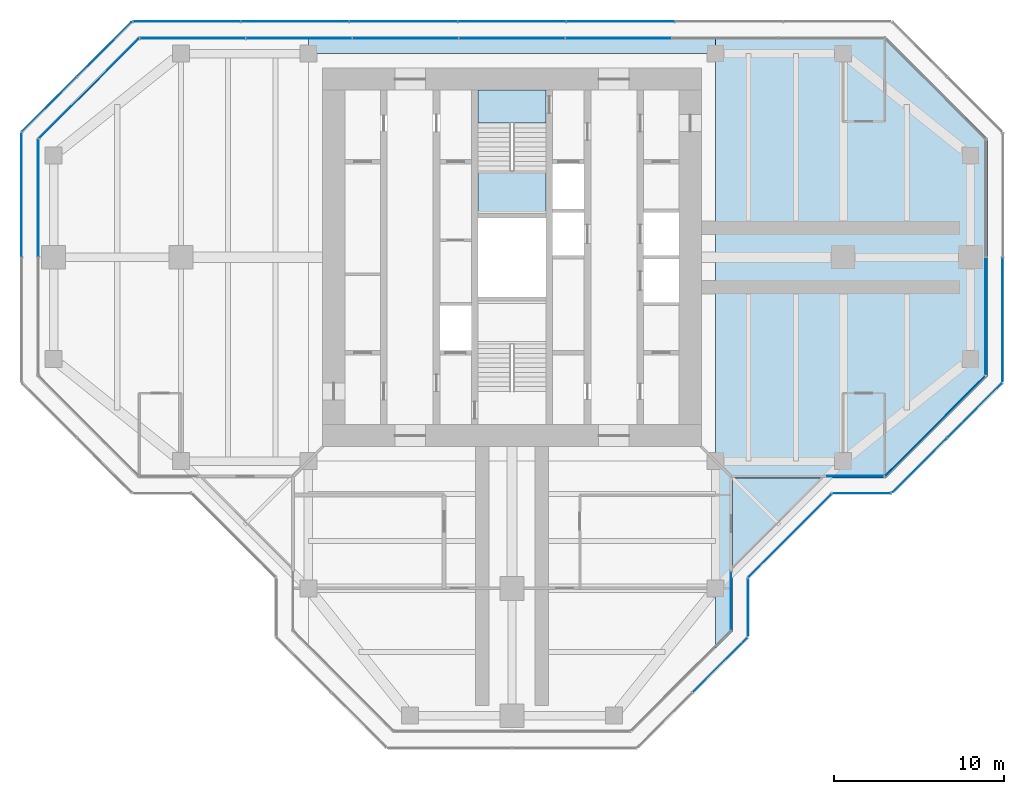
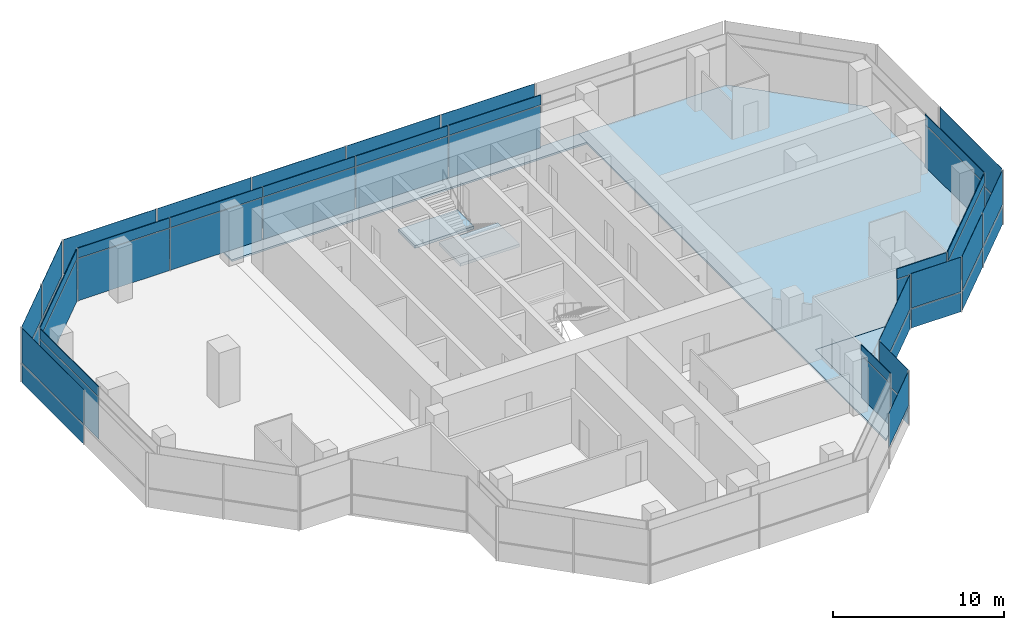
# One storey, part 10 of 15: 51 plates, 5 slabs, 17 elements without a shape of their own.
"""IFC4 building model written with IfcOpenShell, lengths in metres."""

from ifc_helpers import new_model, si_unit, direction, frame, origin, origin_2d, place, context, subcontext, project, spatial, polyline, rectangle, outline, extrude, material, layer, layer_set, type_object, element, aggregate, save


model = new_model("IFC4")

# Units and contexts
model_context = context("Model", 3, precision=1e-05, world=origin(), true_north=direction((0.0, 1.0)))
body_context = subcontext(model_context, "Body", "Model", "MODEL_VIEW")
ifc_project = project(units=[si_unit("LENGTHUNIT", "METRE"), si_unit("AREAUNIT", "SQUARE_METRE"), si_unit("VOLUMEUNIT", "CUBIC_METRE"), si_unit("PLANEANGLEUNIT", "RADIAN"), si_unit("MASSUNIT", "GRAM", prefix="KILO")], contexts=[model_context])

# Site, building, storey
site_placement = place(None, origin())
site = spatial("IfcSite", under=ifc_project, at=site_placement, CompositionType="ELEMENT")
building_placement = place(site_placement, origin())
building = spatial("IfcBuilding", under=site, at=building_placement, Name="Mizan Broadcast Tower", CompositionType="ELEMENT")
storey_placement = place(building_placement, frame((0.0, 0.0, 282.89990234375)))
storey = spatial("IfcBuildingStorey", under=building, at=storey_placement, Name="L67", CompositionType="ELEMENT", Elevation=282.89990234375)

# Slabs
ifc_material_1 = material(Name="Concrete C32/40", Category="concrete")
ifc_layer_1 = layer(ifc_material_1, 0.1298828125)
ifc_layer_set_1 = layer_set([ifc_layer_1], Name="Concrete C32/40")
slab_type_1 = type_object("IfcSlabType", Name="COMPOSITE DECK SLAB 130", PredefinedType="FLOOR", material=ifc_layer_set_1)
slab_1_placement = place(storey_placement, frame((0.0, 0.0, -0.1298828125)))
element("IfcSlab", 1, at=slab_1_placement, inside=storey, type_object=slab_type_1, Name="Floor slab L67 east arm", PredefinedType="FLOOR", context=body_context, shape_type="SweptSolid", body=[
    extrude(outline(polyline([(12.0, -23.0), (13.0, -22.0), (13.0, -13.0), (22.0, -13.0), (28.0, -7.0), (28.0, 7.0), (22.0, 13.0), (13.0, 13.0), (12.0, 13.0), (12.0, -23.0)])), origin(), (0.0, 0.0, 1.0), 0.1298828125),
])
slab_2_placement = place(storey_placement, frame((0.0, 0.0, -0.1298828125)))
element("IfcSlab", 2, at=slab_2_placement, inside=storey, type_object=slab_type_1, Name="Floor slab L67 north arm", PredefinedType="FLOOR", context=body_context, shape_type="SweptSolid", body=[
    extrude(outline(polyline([(12.0, 13.0), (-12.0, 13.0), (-12.0, 12.0), (12.0, 12.0), (12.0, 13.0)])), origin(), (0.0, 0.0, 1.0), 0.1298828125),
])

# Curtain wall, plate
ifc_material_2 = material(Name="Aluminium framed glazing", Category="aluminium")
curtain_wall_type_1 = type_object("IfcCurtainWallType", Name="INNER SKIN TOP ZONE", PredefinedType="USERDEFINED", material=ifc_material_2)
curtain_wall_1_placement = place(storey_placement, origin())
curtain_wall_1 = element("IfcCurtainWall", 3, at=curtain_wall_1_placement, inside=storey, type_object=curtain_wall_type_1, Name="Inner skin top zone L67 E side", ObjectType="INNER SKIN TOP ZONE", PredefinedType="USERDEFINED")
ifc_material_3 = material(Name="Double glazing, clear low-e", Category="glass")
ifc_layer_2 = layer(ifc_material_3, 0.028076171875)
ifc_layer_set_2 = layer_set([ifc_layer_2], Name="Double glazing, clear low-e")
plate_type_1 = type_object("IfcPlateType", Name="INNER SKIN GLAZING UNIT", PredefinedType="CURTAIN_PANEL", material=ifc_layer_set_2)
plate_1_placement = place(storey_placement, frame((20.229248046875, -12.89990234375, 0.0), z_axis=(0.0, 0.0, 1.0), x_axis=(1.0, 0.0, 0.0)))
plate_1 = element("IfcPlate", 4, at=plate_1_placement, type_object=plate_type_1, Name="Inner skin top zone L67 E side panel 1.1", PredefinedType="CURTAIN_PANEL", context=body_context, shape_type="SweptSolid", body=[
    extrude(rectangle(XDim=3.338623046875, YDim=0.028076171875, at=origin_2d()), origin(), (0.0, 0.0, 1.0), 3.0),
])

curtain_wall_2_placement = place(storey_placement, origin())
curtain_wall_2 = element("IfcCurtainWall", 5, at=curtain_wall_2_placement, inside=storey, type_object=curtain_wall_type_1, Name="Inner skin top zone L67 E chamfer", ObjectType="INNER SKIN TOP ZONE", PredefinedType="USERDEFINED")
plate_2_placement = place(storey_placement, frame((24.92919921875, -9.92919921875, 0.0), z_axis=(0.0, 0.0, 1.0), x_axis=(0.707106781187, 0.707106781187, 0.0)))
plate_2 = element("IfcPlate", 6, at=plate_2_placement, type_object=plate_type_1, Name="Inner skin top zone L67 E chamfer panel 1.1", PredefinedType="CURTAIN_PANEL", context=body_context, shape_type="SweptSolid", body=[
    extrude(rectangle(XDim=8.282470703125, YDim=0.028076171875, at=origin_2d()), origin(), (0.0, 0.0, 1.0), 3.0),
])

curtain_wall_3_placement = place(storey_placement, origin())
curtain_wall_3 = element("IfcCurtainWall", 7, at=curtain_wall_3_placement, inside=storey, type_object=curtain_wall_type_1, Name="Inner skin top zone L67 E end", ObjectType="INNER SKIN TOP ZONE", PredefinedType="USERDEFINED")
plate_3_placement = place(storey_placement, frame((27.89990234375, -3.46435546875, 0.0), z_axis=(0.0, 0.0, 1.0), x_axis=(0.0, 1.0, 0.0)))
plate_3 = element("IfcPlate", 8, at=plate_3_placement, type_object=plate_type_1, Name="Inner skin top zone L67 E end panel 1.1", PredefinedType="CURTAIN_PANEL", context=body_context, shape_type="SweptSolid", body=[
    extrude(rectangle(XDim=6.86865234375, YDim=0.028076171875, at=origin_2d()), origin(), (0.0, 0.0, 1.0), 3.0),
])

# Curtain wall, plates
curtain_wall_4_placement = place(storey_placement, origin())
curtain_wall_4 = element("IfcCurtainWall", 9, at=curtain_wall_4_placement, inside=storey, type_object=curtain_wall_type_1, Name="Inner skin top zone L67 N end", ObjectType="INNER SKIN TOP ZONE", PredefinedType="USERDEFINED")
plate_4_placement = place(storey_placement, frame((6.27392578125, 12.89990234375, 0.0), z_axis=(0.0, 0.0, 1.0), x_axis=(-1.0, 0.0, 0.0)))
plate_4 = element("IfcPlate", 10, at=plate_4_placement, type_object=plate_type_1, Name="Inner skin top zone L67 N end panel 3.1", PredefinedType="CURTAIN_PANEL", context=body_context, shape_type="SweptSolid", body=[
    extrude(rectangle(XDim=6.2138671875, YDim=0.028076171875, at=origin_2d()), origin(), (0.0, 0.0, 1.0), 3.0),
])
plate_5_placement = place(storey_placement, frame((0.0, 12.89990234375, 0.0), z_axis=(0.0, 0.0, 1.0), x_axis=(-1.0, 0.0, 0.0)))
plate_5 = element("IfcPlate", 11, at=plate_5_placement, type_object=plate_type_1, Name="Inner skin top zone L67 N end panel 4.1", PredefinedType="CURTAIN_PANEL", context=body_context, shape_type="SweptSolid", body=[
    extrude(rectangle(XDim=6.2138671875, YDim=0.028076171875, at=origin_2d()), origin(), (0.0, 0.0, 1.0), 3.0),
])
plate_6_placement = place(storey_placement, frame((-6.27392578125, 12.89990234375, 0.0), z_axis=(0.0, 0.0, 1.0), x_axis=(-1.0, 0.0, 0.0)))
plate_6 = element("IfcPlate", 12, at=plate_6_placement, type_object=plate_type_1, Name="Inner skin top zone L67 N end panel 5.1", PredefinedType="CURTAIN_PANEL", context=body_context, shape_type="SweptSolid", body=[
    extrude(rectangle(XDim=6.2138671875, YDim=0.028076171875, at=origin_2d()), origin(), (0.0, 0.0, 1.0), 3.0),
])
plate_7_placement = place(storey_placement, frame((-12.5478515625, 12.89990234375, 0.0), z_axis=(0.0, 0.0, 1.0), x_axis=(-1.0, 0.0, 0.0)))
plate_7 = element("IfcPlate", 13, at=plate_7_placement, type_object=plate_type_1, Name="Inner skin top zone L67 N end panel 6.1", PredefinedType="CURTAIN_PANEL", context=body_context, shape_type="SweptSolid", body=[
    extrude(rectangle(XDim=6.2138671875, YDim=0.028076171875, at=origin_2d()), origin(), (0.0, 0.0, 1.0), 3.0),
])
plate_8_placement = place(storey_placement, frame((-18.806640625, 12.89990234375, 0.0), z_axis=(0.0, 0.0, 1.0), x_axis=(-1.0, 0.0, 0.0)))
plate_8 = element("IfcPlate", 14, at=plate_8_placement, type_object=plate_type_1, Name="Inner skin top zone L67 N end panel 7.1", PredefinedType="CURTAIN_PANEL", context=body_context, shape_type="SweptSolid", body=[
    extrude(rectangle(XDim=6.183837890625, YDim=0.028076171875, at=origin_2d()), origin(), (0.0, 0.0, 1.0), 3.0),
])

# Curtain wall, plate
curtain_wall_5_placement = place(storey_placement, origin())
curtain_wall_5 = element("IfcCurtainWall", 15, at=curtain_wall_5_placement, inside=storey, type_object=curtain_wall_type_1, Name="Inner skin top zone L67 W chamfer", ObjectType="INNER SKIN TOP ZONE", PredefinedType="USERDEFINED")
plate_9_placement = place(storey_placement, frame((-24.92919921875, 9.92919921875, 0.0), z_axis=(0.0, 0.0, 1.0), x_axis=(-0.707106781187, -0.707106781187, 0.0)))
plate_9 = element("IfcPlate", 16, at=plate_9_placement, type_object=plate_type_1, Name="Inner skin top zone L67 W chamfer panel 1.1", PredefinedType="CURTAIN_PANEL", context=body_context, shape_type="SweptSolid", body=[
    extrude(rectangle(XDim=8.282470703125, YDim=0.028076171875, at=origin_2d()), origin(), (0.0, 0.0, 1.0), 3.0),
])

curtain_wall_6_placement = place(storey_placement, origin())
curtain_wall_6 = element("IfcCurtainWall", 17, at=curtain_wall_6_placement, inside=storey, type_object=curtain_wall_type_1, Name="Inner skin top zone L67 W end", ObjectType="INNER SKIN TOP ZONE", PredefinedType="USERDEFINED")
plate_10_placement = place(storey_placement, frame((-27.89990234375, 3.46435546875, 0.0), z_axis=(0.0, 0.0, 1.0), x_axis=(0.0, -1.0, 0.0)))
plate_10 = element("IfcPlate", 18, at=plate_10_placement, type_object=plate_type_1, Name="Inner skin top zone L67 W end panel 1.1", PredefinedType="CURTAIN_PANEL", context=body_context, shape_type="SweptSolid", body=[
    extrude(rectangle(XDim=6.86865234375, YDim=0.028076171875, at=origin_2d()), origin(), (0.0, 0.0, 1.0), 3.0),
])

curtain_wall_7_placement = place(storey_placement, origin())
curtain_wall_7 = element("IfcCurtainWall", 19, at=curtain_wall_7_placement, inside=storey, type_object=curtain_wall_type_1, Name="Inner skin top zone L67 S side", ObjectType="INNER SKIN TOP ZONE", PredefinedType="USERDEFINED")
plate_11_placement = place(storey_placement, frame((12.89990234375, -20.229248046875, 0.0), z_axis=(0.0, 0.0, 1.0), x_axis=(0.0, 1.0, 0.0)))
plate_11 = element("IfcPlate", 20, at=plate_11_placement, type_object=plate_type_1, Name="Inner skin top zone L67 S side panel 1.1", PredefinedType="CURTAIN_PANEL", context=body_context, shape_type="SweptSolid", body=[
    extrude(rectangle(XDim=3.338623046875, YDim=0.028076171875, at=origin_2d()), origin(), (0.0, 0.0, 1.0), 3.0),
])

# Plate
ifc_material_4 = material(Name="Insulated aluminium spandrel panel, pale anodised", Category="aluminium")
ifc_layer_3 = layer(ifc_material_4, 0.050048828125)
ifc_layer_set_3 = layer_set([ifc_layer_3], Name="Insulated aluminium spandrel panel, pale anodised")
plate_type_2 = type_object("IfcPlateType", Name="INNER SKIN SPANDREL PANEL", PredefinedType="CURTAIN_PANEL", material=ifc_layer_set_3)
plate_12_placement = place(storey_placement, frame((20.229248046875, -12.89990234375, 3.06005859375), z_axis=(0.0, 0.0, 1.0), x_axis=(1.0, 0.0, 0.0)))
plate_12 = element("IfcPlate", 21, at=plate_12_placement, type_object=plate_type_2, Name="Inner skin top zone L67 E side panel 1.2", PredefinedType="CURTAIN_PANEL", context=body_context, shape_type="SweptSolid", body=[
    extrude(rectangle(XDim=3.338623046875, YDim=0.050048828125, at=origin_2d()), origin(), (0.0, 0.0, 1.0), 0.7099609375),
])

aggregate(curtain_wall_1, [plate_1, plate_12])

plate_13_placement = place(storey_placement, frame((24.92919921875, -9.92919921875, 3.06005859375), z_axis=(0.0, 0.0, 1.0), x_axis=(0.707106781187, 0.707106781187, 0.0)))
plate_13 = element("IfcPlate", 22, at=plate_13_placement, type_object=plate_type_2, Name="Inner skin top zone L67 E chamfer panel 1.2", PredefinedType="CURTAIN_PANEL", context=body_context, shape_type="SweptSolid", body=[
    extrude(rectangle(XDim=8.282470703125, YDim=0.050048828125, at=origin_2d()), origin(), (0.0, 0.0, 1.0), 0.7099609375),
])

aggregate(curtain_wall_2, [plate_2, plate_13])

plate_14_placement = place(storey_placement, frame((27.89990234375, -3.46435546875, 3.06005859375), z_axis=(0.0, 0.0, 1.0), x_axis=(0.0, 1.0, 0.0)))
plate_14 = element("IfcPlate", 23, at=plate_14_placement, type_object=plate_type_2, Name="Inner skin top zone L67 E end panel 1.2", PredefinedType="CURTAIN_PANEL", context=body_context, shape_type="SweptSolid", body=[
    extrude(rectangle(XDim=6.86865234375, YDim=0.050048828125, at=origin_2d()), origin(), (0.0, 0.0, 1.0), 0.7099609375),
])

aggregate(curtain_wall_3, [plate_3, plate_14])

plate_15_placement = place(storey_placement, frame((6.27392578125, 12.89990234375, 3.06005859375), z_axis=(0.0, 0.0, 1.0), x_axis=(-1.0, 0.0, 0.0)))
plate_15 = element("IfcPlate", 24, at=plate_15_placement, type_object=plate_type_2, Name="Inner skin top zone L67 N end panel 3.2", PredefinedType="CURTAIN_PANEL", context=body_context, shape_type="SweptSolid", body=[
    extrude(rectangle(XDim=6.2138671875, YDim=0.050048828125, at=origin_2d()), origin(), (0.0, 0.0, 1.0), 0.7099609375),
])

plate_16_placement = place(storey_placement, frame((0.0, 12.89990234375, 3.06005859375), z_axis=(0.0, 0.0, 1.0), x_axis=(-1.0, 0.0, 0.0)))
plate_16 = element("IfcPlate", 25, at=plate_16_placement, type_object=plate_type_2, Name="Inner skin top zone L67 N end panel 4.2", PredefinedType="CURTAIN_PANEL", context=body_context, shape_type="SweptSolid", body=[
    extrude(rectangle(XDim=6.2138671875, YDim=0.050048828125, at=origin_2d()), origin(), (0.0, 0.0, 1.0), 0.7099609375),
])

plate_17_placement = place(storey_placement, frame((-6.27392578125, 12.89990234375, 3.06005859375), z_axis=(0.0, 0.0, 1.0), x_axis=(-1.0, 0.0, 0.0)))
plate_17 = element("IfcPlate", 26, at=plate_17_placement, type_object=plate_type_2, Name="Inner skin top zone L67 N end panel 5.2", PredefinedType="CURTAIN_PANEL", context=body_context, shape_type="SweptSolid", body=[
    extrude(rectangle(XDim=6.2138671875, YDim=0.050048828125, at=origin_2d()), origin(), (0.0, 0.0, 1.0), 0.7099609375),
])

plate_18_placement = place(storey_placement, frame((-12.5478515625, 12.89990234375, 3.06005859375), z_axis=(0.0, 0.0, 1.0), x_axis=(-1.0, 0.0, 0.0)))
plate_18 = element("IfcPlate", 27, at=plate_18_placement, type_object=plate_type_2, Name="Inner skin top zone L67 N end panel 6.2", PredefinedType="CURTAIN_PANEL", context=body_context, shape_type="SweptSolid", body=[
    extrude(rectangle(XDim=6.2138671875, YDim=0.050048828125, at=origin_2d()), origin(), (0.0, 0.0, 1.0), 0.7099609375),
])

plate_19_placement = place(storey_placement, frame((-18.806640625, 12.89990234375, 3.06005859375), z_axis=(0.0, 0.0, 1.0), x_axis=(-1.0, 0.0, 0.0)))
plate_19 = element("IfcPlate", 28, at=plate_19_placement, type_object=plate_type_2, Name="Inner skin top zone L67 N end panel 7.2", PredefinedType="CURTAIN_PANEL", context=body_context, shape_type="SweptSolid", body=[
    extrude(rectangle(XDim=6.183837890625, YDim=0.050048828125, at=origin_2d()), origin(), (0.0, 0.0, 1.0), 0.7099609375),
])

aggregate(curtain_wall_4, [plate_4, plate_15, plate_5, plate_16, plate_6, plate_17, plate_7, plate_18, plate_8, plate_19])

plate_20_placement = place(storey_placement, frame((-24.92919921875, 9.92919921875, 3.06005859375), z_axis=(0.0, 0.0, 1.0), x_axis=(-0.707106781187, -0.707106781187, 0.0)))
plate_20 = element("IfcPlate", 29, at=plate_20_placement, type_object=plate_type_2, Name="Inner skin top zone L67 W chamfer panel 1.2", PredefinedType="CURTAIN_PANEL", context=body_context, shape_type="SweptSolid", body=[
    extrude(rectangle(XDim=8.282470703125, YDim=0.050048828125, at=origin_2d()), origin(), (0.0, 0.0, 1.0), 0.7099609375),
])

aggregate(curtain_wall_5, [plate_9, plate_20])

plate_21_placement = place(storey_placement, frame((-27.89990234375, 3.46435546875, 3.06005859375), z_axis=(0.0, 0.0, 1.0), x_axis=(0.0, -1.0, 0.0)))
plate_21 = element("IfcPlate", 30, at=plate_21_placement, type_object=plate_type_2, Name="Inner skin top zone L67 W end panel 1.2", PredefinedType="CURTAIN_PANEL", context=body_context, shape_type="SweptSolid", body=[
    extrude(rectangle(XDim=6.86865234375, YDim=0.050048828125, at=origin_2d()), origin(), (0.0, 0.0, 1.0), 0.7099609375),
])

aggregate(curtain_wall_6, [plate_10, plate_21])

plate_22_placement = place(storey_placement, frame((12.89990234375, -20.229248046875, 3.06005859375), z_axis=(0.0, 0.0, 1.0), x_axis=(0.0, 1.0, 0.0)))
plate_22 = element("IfcPlate", 31, at=plate_22_placement, type_object=plate_type_2, Name="Inner skin top zone L67 S side panel 1.2", PredefinedType="CURTAIN_PANEL", context=body_context, shape_type="SweptSolid", body=[
    extrude(rectangle(XDim=3.338623046875, YDim=0.050048828125, at=origin_2d()), origin(), (0.0, 0.0, 1.0), 0.7099609375),
])

aggregate(curtain_wall_7, [plate_11, plate_22])

# Curtain wall, plates
ifc_material_5 = material(Name="Aluminium framed glazing", Category="aluminium")
curtain_wall_type_2 = type_object("IfcCurtainWallType", Name="OUTER SKIN", PredefinedType="USERDEFINED", material=ifc_material_5)
curtain_wall_8_placement = place(storey_placement, origin())
curtain_wall_8 = element("IfcCurtainWall", 32, at=curtain_wall_8_placement, inside=storey, type_object=curtain_wall_type_2, Name="Outer skin L67 S side", ObjectType="OUTER SKIN", PredefinedType="USERDEFINED")
ifc_material_6 = material(Name="Laminated clear glass", Category="glass")
ifc_layer_4 = layer(ifc_material_6, 0.02001953125)
ifc_layer_set_4 = layer_set([ifc_layer_4], Name="Laminated clear glass")
plate_type_3 = type_object("IfcPlateType", Name="OUTER SKIN CLEAR GLASS", PredefinedType="CURTAIN_PANEL", material=ifc_layer_set_4)
plate_23_placement = place(storey_placement, frame((13.89990234375, -20.622802734375, 0.0), z_axis=(0.0, 0.0, 1.0), x_axis=(0.0, 1.0, 0.0)))
plate_23 = element("IfcPlate", 33, at=plate_23_placement, type_object=plate_type_3, Name="Outer skin L67 S side panel 1.1", PredefinedType="CURTAIN_PANEL", context=body_context, shape_type="SweptSolid", body=[
    extrude(rectangle(XDim=3.340087890625, YDim=0.02001953125, at=origin_2d()), origin(), (0.0, 0.0, 1.0), 1.3701171875),
])
plate_24_placement = place(storey_placement, frame((13.89990234375, -20.622802734375, 1.43017578125), z_axis=(0.0, 0.0, 1.0), x_axis=(0.0, 1.0, 0.0)))
plate_24 = element("IfcPlate", 34, at=plate_24_placement, type_object=plate_type_3, Name="Outer skin L67 S side panel 1.2", PredefinedType="CURTAIN_PANEL", context=body_context, shape_type="SweptSolid", body=[
    extrude(rectangle(XDim=3.340087890625, YDim=0.02001953125, at=origin_2d()), origin(), (0.0, 0.0, 1.0), 2.469970703125),
])
aggregate(curtain_wall_8, [plate_23, plate_24])

curtain_wall_9_placement = place(storey_placement, origin())
curtain_wall_9 = element("IfcCurtainWall", 35, at=curtain_wall_9_placement, inside=storey, type_object=curtain_wall_type_2, Name="Outer skin L67 E chamfer", ObjectType="OUTER SKIN", PredefinedType="USERDEFINED")
plate_25_placement = place(storey_placement, frame((16.386474609375, -16.386474609375, 0.0), z_axis=(0.0, 0.0, 1.0), x_axis=(0.707106781187, 0.707106781187, 0.0)))
plate_25 = element("IfcPlate", 36, at=plate_25_placement, type_object=plate_type_3, Name="Outer skin L67 E chamfer panel 1.1", PredefinedType="CURTAIN_PANEL", context=body_context, shape_type="SweptSolid", body=[
    extrude(rectangle(XDim=6.87255859375, YDim=0.02001953125, at=origin_2d()), origin(), (0.0, 0.0, 1.0), 1.3701171875),
])
plate_26_placement = place(storey_placement, frame((16.386474609375, -16.386474609375, 1.43017578125), z_axis=(0.0, 0.0, 1.0), x_axis=(0.707106781187, 0.707106781187, 0.0)))
plate_26 = element("IfcPlate", 37, at=plate_26_placement, type_object=plate_type_3, Name="Outer skin L67 E chamfer panel 1.2", PredefinedType="CURTAIN_PANEL", context=body_context, shape_type="SweptSolid", body=[
    extrude(rectangle(XDim=6.87255859375, YDim=0.02001953125, at=origin_2d()), origin(), (0.0, 0.0, 1.0), 2.469970703125),
])
aggregate(curtain_wall_9, [plate_25, plate_26])

curtain_wall_10_placement = place(storey_placement, origin())
curtain_wall_10 = element("IfcCurtainWall", 38, at=curtain_wall_10_placement, inside=storey, type_object=curtain_wall_type_2, Name="Outer skin L67 E side", ObjectType="OUTER SKIN", PredefinedType="USERDEFINED")
plate_27_placement = place(storey_placement, frame((20.622802734375, -13.89990234375, 0.0), z_axis=(0.0, 0.0, 1.0), x_axis=(1.0, 0.0, 0.0)))
plate_27 = element("IfcPlate", 39, at=plate_27_placement, type_object=plate_type_3, Name="Outer skin L67 E side panel 1.1", PredefinedType="CURTAIN_PANEL", context=body_context, shape_type="SweptSolid", body=[
    extrude(rectangle(XDim=3.340087890625, YDim=0.02001953125, at=origin_2d()), origin(), (0.0, 0.0, 1.0), 1.3701171875),
])
plate_28_placement = place(storey_placement, frame((20.622802734375, -13.89990234375, 1.43017578125), z_axis=(0.0, 0.0, 1.0), x_axis=(1.0, 0.0, 0.0)))
plate_28 = element("IfcPlate", 40, at=plate_28_placement, type_object=plate_type_3, Name="Outer skin L67 E side panel 1.2", PredefinedType="CURTAIN_PANEL", context=body_context, shape_type="SweptSolid", body=[
    extrude(rectangle(XDim=3.340087890625, YDim=0.02001953125, at=origin_2d()), origin(), (0.0, 0.0, 1.0), 2.469970703125),
])
aggregate(curtain_wall_10, [plate_27, plate_28])

curtain_wall_11_placement = place(storey_placement, origin())
curtain_wall_11 = element("IfcCurtainWall", 41, at=curtain_wall_11_placement, inside=storey, type_object=curtain_wall_type_2, Name="Outer skin L67 E chamfer", ObjectType="OUTER SKIN", PredefinedType="USERDEFINED")
plate_29_placement = place(storey_placement, frame((24.018798828125, -12.254150390625, 0.0), z_axis=(0.0, 0.0, 1.0), x_axis=(0.707106781187, 0.707106781187, 0.0)))
plate_29 = element("IfcPlate", 42, at=plate_29_placement, type_object=plate_type_3, Name="Outer skin L67 E chamfer panel 1.1", PredefinedType="CURTAIN_PANEL", context=body_context, shape_type="SweptSolid", body=[
    extrude(rectangle(XDim=4.495361328125, YDim=0.02001953125, at=origin_2d()), origin(), (0.0, 0.0, 1.0), 1.3701171875),
])
plate_30_placement = place(storey_placement, frame((24.018798828125, -12.254150390625, 1.43017578125), z_axis=(0.0, 0.0, 1.0), x_axis=(0.707106781187, 0.707106781187, 0.0)))
plate_30 = element("IfcPlate", 43, at=plate_30_placement, type_object=plate_type_3, Name="Outer skin L67 E chamfer panel 1.2", PredefinedType="CURTAIN_PANEL", context=body_context, shape_type="SweptSolid", body=[
    extrude(rectangle(XDim=4.495361328125, YDim=0.02001953125, at=origin_2d()), origin(), (0.0, 0.0, 1.0), 2.469970703125),
])

curtain_wall_12_placement = place(storey_placement, origin())
curtain_wall_12 = element("IfcCurtainWall", 44, at=curtain_wall_12_placement, inside=storey, type_object=curtain_wall_type_2, Name="Outer skin L67 E end", ObjectType="OUTER SKIN", PredefinedType="USERDEFINED")
plate_31_placement = place(storey_placement, frame((28.89990234375, -3.66650390625, 0.0), z_axis=(0.0, 0.0, 1.0), x_axis=(0.0, 1.0, 0.0)))
plate_31 = element("IfcPlate", 45, at=plate_31_placement, type_object=plate_type_3, Name="Outer skin L67 E end panel 1.1", PredefinedType="CURTAIN_PANEL", context=body_context, shape_type="SweptSolid", body=[
    extrude(rectangle(XDim=7.252685546875, YDim=0.02001953125, at=origin_2d()), origin(), (0.0, 0.0, 1.0), 1.3701171875),
])
plate_32_placement = place(storey_placement, frame((28.89990234375, -3.66650390625, 1.43017578125), z_axis=(0.0, 0.0, 1.0), x_axis=(0.0, 1.0, 0.0)))
plate_32 = element("IfcPlate", 46, at=plate_32_placement, type_object=plate_type_3, Name="Outer skin L67 E end panel 1.2", PredefinedType="CURTAIN_PANEL", context=body_context, shape_type="SweptSolid", body=[
    extrude(rectangle(XDim=7.252685546875, YDim=0.02001953125, at=origin_2d()), origin(), (0.0, 0.0, 1.0), 2.469970703125),
])
aggregate(curtain_wall_12, [plate_31, plate_32])

curtain_wall_13_placement = place(storey_placement, origin())
curtain_wall_13 = element("IfcCurtainWall", 47, at=curtain_wall_13_placement, inside=storey, type_object=curtain_wall_type_2, Name="Outer skin L67 N end", ObjectType="OUTER SKIN", PredefinedType="USERDEFINED")
plate_33_placement = place(storey_placement, frame((6.392333984375, 13.89990234375, 0.0), z_axis=(0.0, 0.0, 1.0), x_axis=(-1.0, 0.0, 0.0)))
plate_33 = element("IfcPlate", 48, at=plate_33_placement, type_object=plate_type_3, Name="Outer skin L67 N end panel 3.1", PredefinedType="CURTAIN_PANEL", context=body_context, shape_type="SweptSolid", body=[
    extrude(rectangle(XDim=6.312255859375, YDim=0.02001953125, at=origin_2d()), origin(), (0.0, 0.0, 1.0), 1.3701171875),
])
plate_34_placement = place(storey_placement, frame((6.392333984375, 13.89990234375, 1.43017578125), z_axis=(0.0, 0.0, 1.0), x_axis=(-1.0, 0.0, 0.0)))
plate_34 = element("IfcPlate", 49, at=plate_34_placement, type_object=plate_type_3, Name="Outer skin L67 N end panel 3.2", PredefinedType="CURTAIN_PANEL", context=body_context, shape_type="SweptSolid", body=[
    extrude(rectangle(XDim=6.312255859375, YDim=0.02001953125, at=origin_2d()), origin(), (0.0, 0.0, 1.0), 2.469970703125),
])
plate_35_placement = place(storey_placement, frame((0.0, 13.89990234375, 0.0), z_axis=(0.0, 0.0, 1.0), x_axis=(-1.0, 0.0, 0.0)))
plate_35 = element("IfcPlate", 50, at=plate_35_placement, type_object=plate_type_3, Name="Outer skin L67 N end panel 4.1", PredefinedType="CURTAIN_PANEL", context=body_context, shape_type="SweptSolid", body=[
    extrude(rectangle(XDim=6.312255859375, YDim=0.02001953125, at=origin_2d()), origin(), (0.0, 0.0, 1.0), 1.3701171875),
])
plate_36_placement = place(storey_placement, frame((0.0, 13.89990234375, 1.43017578125), z_axis=(0.0, 0.0, 1.0), x_axis=(-1.0, 0.0, 0.0)))
plate_36 = element("IfcPlate", 51, at=plate_36_placement, type_object=plate_type_3, Name="Outer skin L67 N end panel 4.2", PredefinedType="CURTAIN_PANEL", context=body_context, shape_type="SweptSolid", body=[
    extrude(rectangle(XDim=6.312255859375, YDim=0.02001953125, at=origin_2d()), origin(), (0.0, 0.0, 1.0), 2.469970703125),
])
plate_37_placement = place(storey_placement, frame((-6.392333984375, 13.89990234375, 0.0), z_axis=(0.0, 0.0, 1.0), x_axis=(-1.0, 0.0, 0.0)))
plate_37 = element("IfcPlate", 52, at=plate_37_placement, type_object=plate_type_3, Name="Outer skin L67 N end panel 5.1", PredefinedType="CURTAIN_PANEL", context=body_context, shape_type="SweptSolid", body=[
    extrude(rectangle(XDim=6.312255859375, YDim=0.02001953125, at=origin_2d()), origin(), (0.0, 0.0, 1.0), 1.3701171875),
])
plate_38_placement = place(storey_placement, frame((-6.392333984375, 13.89990234375, 1.43017578125), z_axis=(0.0, 0.0, 1.0), x_axis=(-1.0, 0.0, 0.0)))
plate_38 = element("IfcPlate", 53, at=plate_38_placement, type_object=plate_type_3, Name="Outer skin L67 N end panel 5.2", PredefinedType="CURTAIN_PANEL", context=body_context, shape_type="SweptSolid", body=[
    extrude(rectangle(XDim=6.312255859375, YDim=0.02001953125, at=origin_2d()), origin(), (0.0, 0.0, 1.0), 2.469970703125),
])
plate_39_placement = place(storey_placement, frame((-12.784423828125, 13.89990234375, 0.0), z_axis=(0.0, 0.0, 1.0), x_axis=(-1.0, 0.0, 0.0)))
plate_39 = element("IfcPlate", 54, at=plate_39_placement, type_object=plate_type_3, Name="Outer skin L67 N end panel 6.1", PredefinedType="CURTAIN_PANEL", context=body_context, shape_type="SweptSolid", body=[
    extrude(rectangle(XDim=6.312255859375, YDim=0.02001953125, at=origin_2d()), origin(), (0.0, 0.0, 1.0), 1.3701171875),
])
plate_40_placement = place(storey_placement, frame((-12.784423828125, 13.89990234375, 1.43017578125), z_axis=(0.0, 0.0, 1.0), x_axis=(-1.0, 0.0, 0.0)))
plate_40 = element("IfcPlate", 55, at=plate_40_placement, type_object=plate_type_3, Name="Outer skin L67 N end panel 6.2", PredefinedType="CURTAIN_PANEL", context=body_context, shape_type="SweptSolid", body=[
    extrude(rectangle(XDim=6.312255859375, YDim=0.02001953125, at=origin_2d()), origin(), (0.0, 0.0, 1.0), 2.469970703125),
])
plate_41_placement = place(storey_placement, frame((-19.15673828125, 13.89990234375, 0.0), z_axis=(0.0, 0.0, 1.0), x_axis=(-1.0, 0.0, 0.0)))
plate_41 = element("IfcPlate", 56, at=plate_41_placement, type_object=plate_type_3, Name="Outer skin L67 N end panel 7.1", PredefinedType="CURTAIN_PANEL", context=body_context, shape_type="SweptSolid", body=[
    extrude(rectangle(XDim=6.272216796875, YDim=0.02001953125, at=origin_2d()), origin(), (0.0, 0.0, 1.0), 1.3701171875),
])
plate_42_placement = place(storey_placement, frame((-19.15673828125, 13.89990234375, 1.43017578125), z_axis=(0.0, 0.0, 1.0), x_axis=(-1.0, 0.0, 0.0)))
plate_42 = element("IfcPlate", 57, at=plate_42_placement, type_object=plate_type_3, Name="Outer skin L67 N end panel 7.2", PredefinedType="CURTAIN_PANEL", context=body_context, shape_type="SweptSolid", body=[
    extrude(rectangle(XDim=6.272216796875, YDim=0.02001953125, at=origin_2d()), origin(), (0.0, 0.0, 1.0), 2.469970703125),
])
aggregate(curtain_wall_13, [plate_33, plate_34, plate_35, plate_36, plate_37, plate_38, plate_39, plate_40, plate_41, plate_42])

curtain_wall_14_placement = place(storey_placement, origin())
curtain_wall_14 = element("IfcCurtainWall", 58, at=curtain_wall_14_placement, inside=storey, type_object=curtain_wall_type_2, Name="Outer skin L67 W chamfer", ObjectType="OUTER SKIN", PredefinedType="USERDEFINED")
plate_43_placement = place(storey_placement, frame((-24.018798828125, 12.254150390625, 0.0), z_axis=(0.0, 0.0, 1.0), x_axis=(-0.707106781187, -0.707106781187, 0.0)))
plate_43 = element("IfcPlate", 59, at=plate_43_placement, type_object=plate_type_3, Name="Outer skin L67 W chamfer panel 1.1", PredefinedType="CURTAIN_PANEL", context=body_context, shape_type="SweptSolid", body=[
    extrude(rectangle(XDim=4.495361328125, YDim=0.02001953125, at=origin_2d()), origin(), (0.0, 0.0, 1.0), 1.3701171875),
])
plate_44_placement = place(storey_placement, frame((-24.018798828125, 12.254150390625, 1.43017578125), z_axis=(0.0, 0.0, 1.0), x_axis=(-0.707106781187, -0.707106781187, 0.0)))
plate_44 = element("IfcPlate", 60, at=plate_44_placement, type_object=plate_type_3, Name="Outer skin L67 W chamfer panel 1.2", PredefinedType="CURTAIN_PANEL", context=body_context, shape_type="SweptSolid", body=[
    extrude(rectangle(XDim=4.495361328125, YDim=0.02001953125, at=origin_2d()), origin(), (0.0, 0.0, 1.0), 2.469970703125),
])

curtain_wall_15_placement = place(storey_placement, origin())
curtain_wall_15 = element("IfcCurtainWall", 61, at=curtain_wall_15_placement, inside=storey, type_object=curtain_wall_type_2, Name="Outer skin L67 W end", ObjectType="OUTER SKIN", PredefinedType="USERDEFINED")
plate_45_placement = place(storey_placement, frame((-28.89990234375, 3.66650390625, 0.0), z_axis=(0.0, 0.0, 1.0), x_axis=(0.0, -1.0, 0.0)))
plate_45 = element("IfcPlate", 62, at=plate_45_placement, type_object=plate_type_3, Name="Outer skin L67 W end panel 1.1", PredefinedType="CURTAIN_PANEL", context=body_context, shape_type="SweptSolid", body=[
    extrude(rectangle(XDim=7.252685546875, YDim=0.02001953125, at=origin_2d()), origin(), (0.0, 0.0, 1.0), 1.3701171875),
])
plate_46_placement = place(storey_placement, frame((-28.89990234375, 3.66650390625, 1.43017578125), z_axis=(0.0, 0.0, 1.0), x_axis=(0.0, -1.0, 0.0)))
plate_46 = element("IfcPlate", 63, at=plate_46_placement, type_object=plate_type_3, Name="Outer skin L67 W end panel 1.2", PredefinedType="CURTAIN_PANEL", context=body_context, shape_type="SweptSolid", body=[
    extrude(rectangle(XDim=7.252685546875, YDim=0.02001953125, at=origin_2d()), origin(), (0.0, 0.0, 1.0), 2.469970703125),
])
aggregate(curtain_wall_15, [plate_45, plate_46])

# Curtain wall, plate
curtain_wall_16_placement = place(storey_placement, origin())
curtain_wall_16 = element("IfcCurtainWall", 64, at=curtain_wall_16_placement, inside=storey, type_object=curtain_wall_type_2, Name="Outer skin L67 S chamfer", ObjectType="OUTER SKIN", PredefinedType="USERDEFINED")
ifc_material_7 = material(Name="Perforated aluminium, pale anodised", Category="aluminium")
ifc_layer_5 = layer(ifc_material_7, 0.011962890625)
ifc_layer_set_5 = layer_set([ifc_layer_5], Name="Perforated aluminium, pale anodised")
plate_type_4 = type_object("IfcPlateType", Name="OUTER SKIN PERFORATED SCREEN", PredefinedType="USERDEFINED", material=ifc_layer_set_5)
plate_47_placement = place(storey_placement, frame((12.254150390625, -24.018798828125, 1.43017578125), z_axis=(0.0, 0.0, 1.0), x_axis=(0.707106781187, 0.707106781187, 0.0)))
plate_47 = element("IfcPlate", 65, at=plate_47_placement, type_object=plate_type_4, Name="Outer skin L67 S chamfer panel 2.2", ObjectType="SCREEN", PredefinedType="USERDEFINED", context=body_context, shape_type="SweptSolid", body=[
    extrude(rectangle(XDim=4.495361328125, YDim=0.011962890625, at=origin_2d()), origin(), (0.0, 0.0, 1.0), 2.469970703125),
])
aggregate(curtain_wall_16, [plate_47])

# Plate
plate_48_placement = place(storey_placement, frame((27.254150390625, -9.018798828125, 0.0), z_axis=(0.0, 0.0, 1.0), x_axis=(0.707106781187, 0.707106781187, 0.0)))
plate_48 = element("IfcPlate", 66, at=plate_48_placement, type_object=plate_type_4, Name="Outer skin L67 E chamfer panel 2.1", ObjectType="SCREEN", PredefinedType="USERDEFINED", context=body_context, shape_type="SweptSolid", body=[
    extrude(rectangle(XDim=4.495361328125, YDim=0.011962890625, at=origin_2d()), origin(), (0.0, 0.0, 1.0), 1.3701171875),
])

plate_49_placement = place(storey_placement, frame((27.254150390625, -9.018798828125, 1.43017578125), z_axis=(0.0, 0.0, 1.0), x_axis=(0.707106781187, 0.707106781187, 0.0)))
plate_49 = element("IfcPlate", 67, at=plate_49_placement, type_object=plate_type_4, Name="Outer skin L67 E chamfer panel 2.2", ObjectType="SCREEN", PredefinedType="USERDEFINED", context=body_context, shape_type="SweptSolid", body=[
    extrude(rectangle(XDim=4.495361328125, YDim=0.011962890625, at=origin_2d()), origin(), (0.0, 0.0, 1.0), 2.469970703125),
])

aggregate(curtain_wall_11, [plate_29, plate_30, plate_48, plate_49])

plate_50_placement = place(storey_placement, frame((-27.254150390625, 9.018798828125, 0.0), z_axis=(0.0, 0.0, 1.0), x_axis=(-0.707106781187, -0.707106781187, 0.0)))
plate_50 = element("IfcPlate", 68, at=plate_50_placement, type_object=plate_type_4, Name="Outer skin L67 W chamfer panel 2.1", ObjectType="SCREEN", PredefinedType="USERDEFINED", context=body_context, shape_type="SweptSolid", body=[
    extrude(rectangle(XDim=4.495361328125, YDim=0.011962890625, at=origin_2d()), origin(), (0.0, 0.0, 1.0), 1.3701171875),
])

plate_51_placement = place(storey_placement, frame((-27.254150390625, 9.018798828125, 1.43017578125), z_axis=(0.0, 0.0, 1.0), x_axis=(-0.707106781187, -0.707106781187, 0.0)))
plate_51 = element("IfcPlate", 69, at=plate_51_placement, type_object=plate_type_4, Name="Outer skin L67 W chamfer panel 2.2", ObjectType="SCREEN", PredefinedType="USERDEFINED", context=body_context, shape_type="SweptSolid", body=[
    extrude(rectangle(XDim=4.495361328125, YDim=0.011962890625, at=origin_2d()), origin(), (0.0, 0.0, 1.0), 2.469970703125),
])

aggregate(curtain_wall_14, [plate_43, plate_44, plate_50, plate_51])

# Stair, slabs
ifc_material_8 = material(Name="Concrete C40/50", Category="concrete")
stair_type = type_object("IfcStairType", Name="EXIT STAIR", PredefinedType="HALF_TURN_STAIR", material=ifc_material_8)
stair_placement = place(storey_placement, origin())
stair = element("IfcStair", 70, at=stair_placement, inside=storey, type_object=stair_type, Name="Stair B L67", PredefinedType="HALF_TURN_STAIR")
ifc_material_9 = material(Name="Concrete C40/50", Category="concrete")
ifc_layer_6 = layer(ifc_material_9, 0.199951171875)
ifc_layer_set_6 = layer_set([ifc_layer_6], Name="Concrete C40/50")
slab_type_2 = type_object("IfcSlabType", Name="STAIR LANDING 200", PredefinedType="LANDING", material=ifc_layer_set_6)
slab_3_placement = place(storey_placement, frame((0.0, 0.0, -0.199951171875)))
slab_3 = element("IfcSlab", 71, at=slab_3_placement, type_object=slab_type_2, Name="B landing 1", PredefinedType="LANDING", context=body_context, shape_type="SweptSolid", body=[
    extrude(outline(polyline([(2.0, 9.85009765625), (2.0, 7.89990234375), (-2.0, 7.89990234375), (-2.0, 9.85009765625), (2.0, 9.85009765625)])), origin(), (0.0, 0.0, 1.0), 0.199951171875),
])
slab_4_placement = place(storey_placement, frame((0.0, 0.0, 1.75)))
slab_4 = element("IfcSlab", 72, at=slab_4_placement, type_object=slab_type_2, Name="B landing 2", PredefinedType="LANDING", context=body_context, shape_type="SweptSolid", body=[
    extrude(outline(polyline([(2.0, 5.10009765625), (2.0, 2.574951171875), (-2.0, 2.574951171875), (-2.0, 5.10009765625), (2.0, 5.10009765625)])), origin(), (0.0, 0.0, 1.0), 0.2001953125),
])
aggregate(stair, [slab_3, slab_4])

# Slab
ifc_material_10 = material(Name="Concrete C32/40", Category="concrete")
ifc_layer_7 = layer(ifc_material_10, 0.1298828125)
ifc_layer_set_7 = layer_set([ifc_layer_7], Name="Concrete C32/40")
slab_type_3 = type_object("IfcSlabType", Name="WINTER GARDEN SLAB 130", PredefinedType="FLOOR", material=ifc_layer_set_7)
slab_5_placement = place(storey_placement, frame((0.0, 0.0, -0.1298828125)))
element("IfcSlab", 73, at=slab_5_placement, inside=storey, type_object=slab_type_3, Name="Winter garden slab L67 S", PredefinedType="FLOOR", context=body_context, shape_type="SweptSolid", body=[
    extrude(outline(polyline([(13.0, -13.0), (13.0, -18.5), (18.5, -13.0), (13.0, -13.0)])), origin(), (0.0, 0.0, 1.0), 0.1298828125),
])

save(model, "model.ifc")
